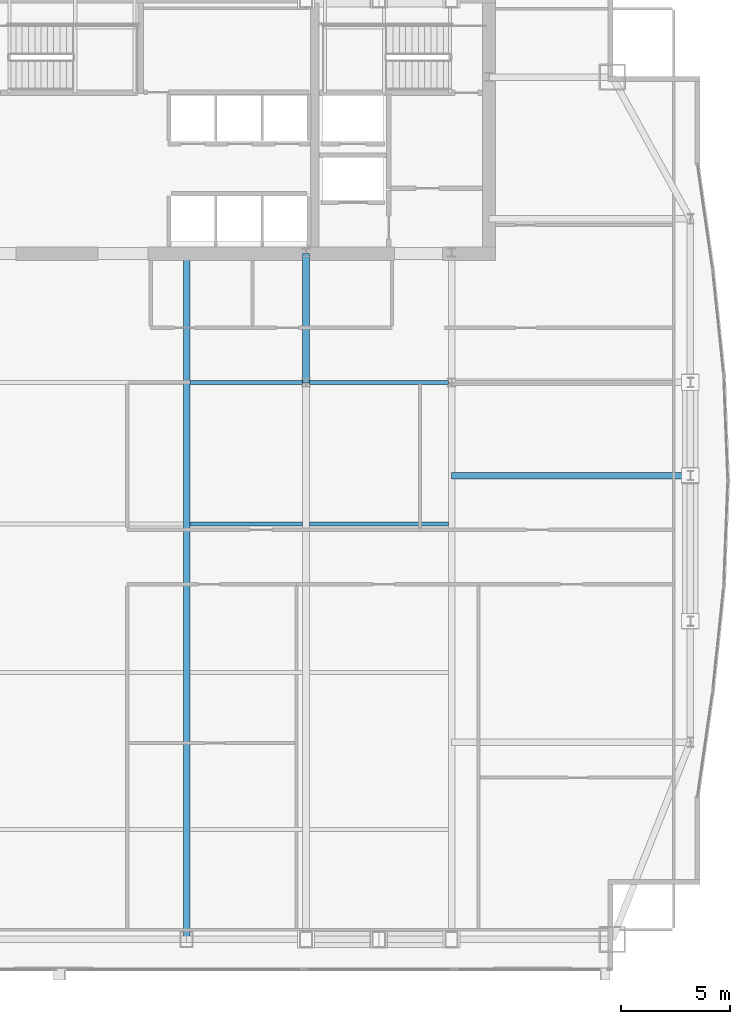
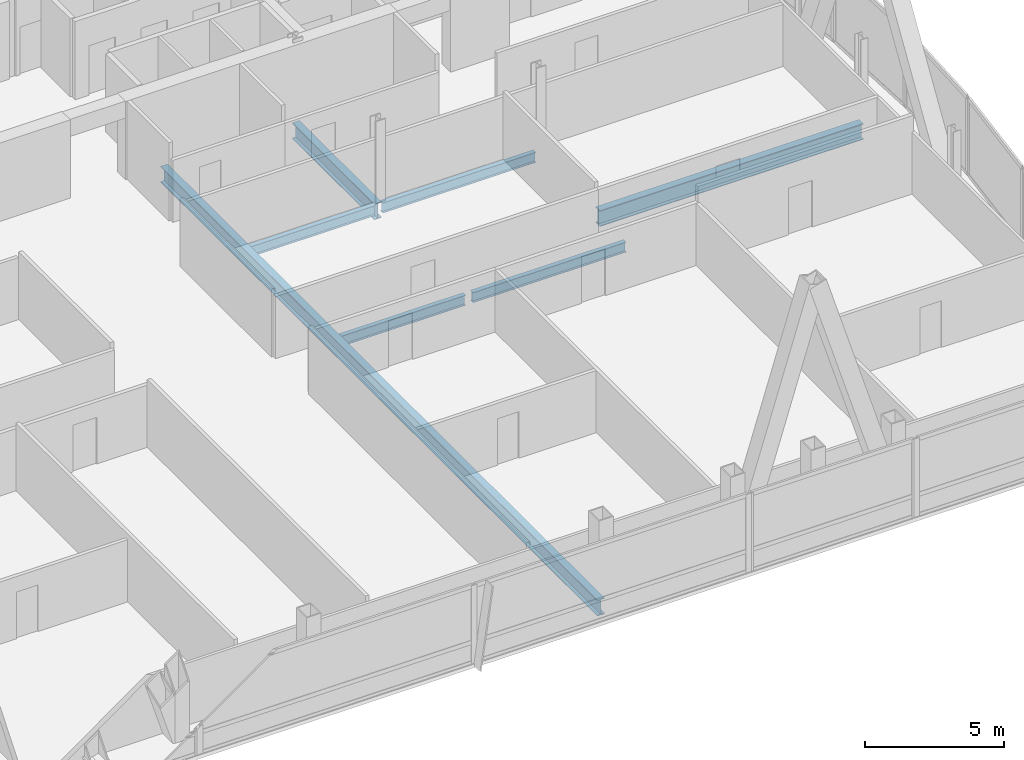
# One storey, part 18 of 32: 7 beams.
"""IFC4 building model written with IfcOpenShell, lengths in metres."""

from ifc_helpers import new_model, si_unit, direction, frame, origin, origin_2d, place, context, subcontext, project, spatial, i_section, extrude, material, material_profile, profile_set, type_object, element, save


model = new_model("IFC4")

# Units and contexts
model_context = context("Model", 3, precision=1e-05, world=origin(), true_north=direction((0.0, 1.0)))
body_context = subcontext(model_context, "Body", "Model", "MODEL_VIEW")
ifc_project = project(units=[si_unit("LENGTHUNIT", "METRE"), si_unit("AREAUNIT", "SQUARE_METRE"), si_unit("VOLUMEUNIT", "CUBIC_METRE"), si_unit("PLANEANGLEUNIT", "RADIAN"), si_unit("MASSUNIT", "GRAM", prefix="KILO")], contexts=[model_context])

# Site, building, storey
site_placement = place(None, origin())
site = spatial("IfcSite", under=ifc_project, at=site_placement, CompositionType="ELEMENT")
building_placement = place(site_placement, origin())
building = spatial("IfcBuilding", under=site, at=building_placement, Name="Khoronbel Lancet Exchange", CompositionType="ELEMENT")
storey_placement = place(building_placement, frame((0.0, 0.0, 199.39990234375)))
storey = spatial("IfcBuildingStorey", under=building, at=storey_placement, Name="L50", CompositionType="ELEMENT", Elevation=199.39990234375)

# Beams
ifc_material = material(Name="Steel S355", Category="steel")
ifc_material_profile_1 = material_profile(ifc_material, i_section(OverallWidth=0.300048828125, OverallDepth=0.699951171875, WebThickness=0.01708984375, FlangeThickness=0.031982421875, at=origin_2d()), Name="HEB 700")
ifc_profile_set_1 = profile_set([ifc_material_profile_1], Name="Steel S355")
beam_type_1 = type_object("IfcBeamType", Name="BM-BG3", PredefinedType="BEAM", material=ifc_profile_set_1)
beam_1_placement = place(storey_placement, frame((42.52490234375, 10.14990234375, -0.510009765625), z_axis=(0.0, 1.0, 0.0), x_axis=(-1.0, 0.0, 0.0)))
element("IfcBeam", 1, at=beam_1_placement, inside=storey, type_object=beam_type_1, Name="Level L50 primary floor girder G4", PredefinedType="BEAM", context=body_context, shape_type="SweptSolid", body=[
    extrude(i_section(OverallWidth=0.300048828125, OverallDepth=0.699951171875, WebThickness=0.01708984375, FlangeThickness=0.031982421875, at=origin_2d()), origin(), (0.0, 0.0, 1.0), 31.4501953125),
])
beam_2_placement = place(storey_placement, frame((48.0, 35.699951171875, -0.510009765625), z_axis=(0.0, 1.0, 0.0), x_axis=(-1.0, 0.0, 0.0)))
element("IfcBeam", 2, at=beam_2_placement, inside=storey, type_object=beam_type_1, Name="Level L50 spine tie girder GN5", PredefinedType="BEAM", context=body_context, shape_type="SweptSolid", body=[
    extrude(i_section(OverallWidth=0.300048828125, OverallDepth=0.699951171875, WebThickness=0.01708984375, FlangeThickness=0.031982421875, at=origin_2d()), origin(), (0.0, 0.0, 1.0), 5.900146484375),
])
beam_3_placement = place(storey_placement, frame((54.675048828125, 31.425048828125, -0.510009765625), z_axis=(1.0, 0.0, 0.0), x_axis=(0.0, 1.0, 0.0)))
element("IfcBeam", 3, at=beam_3_placement, inside=storey, type_object=beam_type_1, Name="Level L50 east lens tie girder LG2E", PredefinedType="BEAM", context=body_context, shape_type="SweptSolid", body=[
    extrude(i_section(OverallWidth=0.300048828125, OverallDepth=0.699951171875, WebThickness=0.01708984375, FlangeThickness=0.031982421875, at=origin_2d()), origin(), (0.0, 0.0, 1.0), 10.954833984375),
])
ifc_material_profile_2 = material_profile(ifc_material, i_section(OverallWidth=0.18994140625, OverallDepth=0.449951171875, WebThickness=0.009521484375, FlangeThickness=0.0146484375, at=origin_2d()), Name="IPE 450")
ifc_profile_set_2 = profile_set([ifc_material_profile_2], Name="Steel S355")
beam_type_2 = type_object("IfcBeamType", Name="BM-BJ4", PredefinedType="JOIST", material=ifc_profile_set_2)
beam_4_placement = place(storey_placement, frame((42.675048828125, 29.199951171875, -0.385009765625), z_axis=(1.0, 0.0, 0.0), x_axis=(0.0, 1.0, 0.0)))
element("IfcBeam", 4, at=beam_4_placement, inside=storey, type_object=beam_type_2, Name="Level L50 secondary composite joist J14", PredefinedType="JOIST", context=body_context, shape_type="SweptSolid", body=[
    extrude(i_section(OverallWidth=0.18994140625, OverallDepth=0.449951171875, WebThickness=0.009521484375, FlangeThickness=0.0146484375, at=origin_2d()), origin(), (0.0, 0.0, 1.0), 5.175048828125),
])
beam_5_placement = place(storey_placement, frame((48.14990234375, 29.199951171875, -0.385009765625), z_axis=(1.0, 0.0, 0.0), x_axis=(0.0, 1.0, 0.0)))
element("IfcBeam", 5, at=beam_5_placement, inside=storey, type_object=beam_type_2, Name="Level L50 secondary composite joist J15", PredefinedType="JOIST", context=body_context, shape_type="SweptSolid", body=[
    extrude(i_section(OverallWidth=0.18994140625, OverallDepth=0.449951171875, WebThickness=0.009521484375, FlangeThickness=0.0146484375, at=origin_2d()), origin(), (0.0, 0.0, 1.0), 6.375),
])
beam_6_placement = place(storey_placement, frame((42.675048828125, 35.699951171875, -0.385009765625), z_axis=(1.0, 0.0, 0.0), x_axis=(0.0, 1.0, 0.0)))
element("IfcBeam", 6, at=beam_6_placement, inside=storey, type_object=beam_type_2, Name="Level L50 secondary composite joist J19", PredefinedType="JOIST", context=body_context, shape_type="SweptSolid", body=[
    extrude(i_section(OverallWidth=0.18994140625, OverallDepth=0.449951171875, WebThickness=0.009521484375, FlangeThickness=0.0146484375, at=origin_2d()), origin(), (0.0, 0.0, 1.0), 5.175048828125),
])
beam_7_placement = place(storey_placement, frame((48.14990234375, 35.699951171875, -0.385009765625), z_axis=(1.0, 0.0, 0.0), x_axis=(0.0, 1.0, 0.0)))
element("IfcBeam", 7, at=beam_7_placement, inside=storey, type_object=beam_type_2, Name="Level L50 secondary composite joist J20", PredefinedType="JOIST", context=body_context, shape_type="SweptSolid", body=[
    extrude(i_section(OverallWidth=0.18994140625, OverallDepth=0.449951171875, WebThickness=0.009521484375, FlangeThickness=0.0146484375, at=origin_2d()), origin(), (0.0, 0.0, 1.0), 6.375),
])

save(model, "model.ifc")
